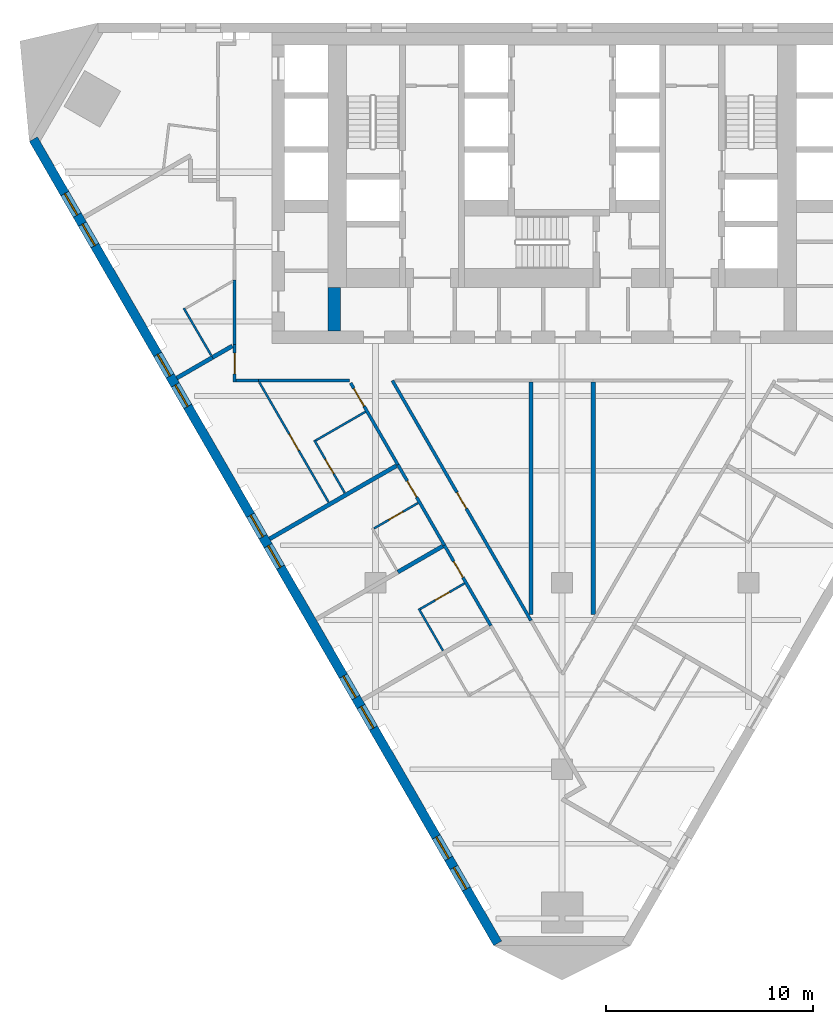
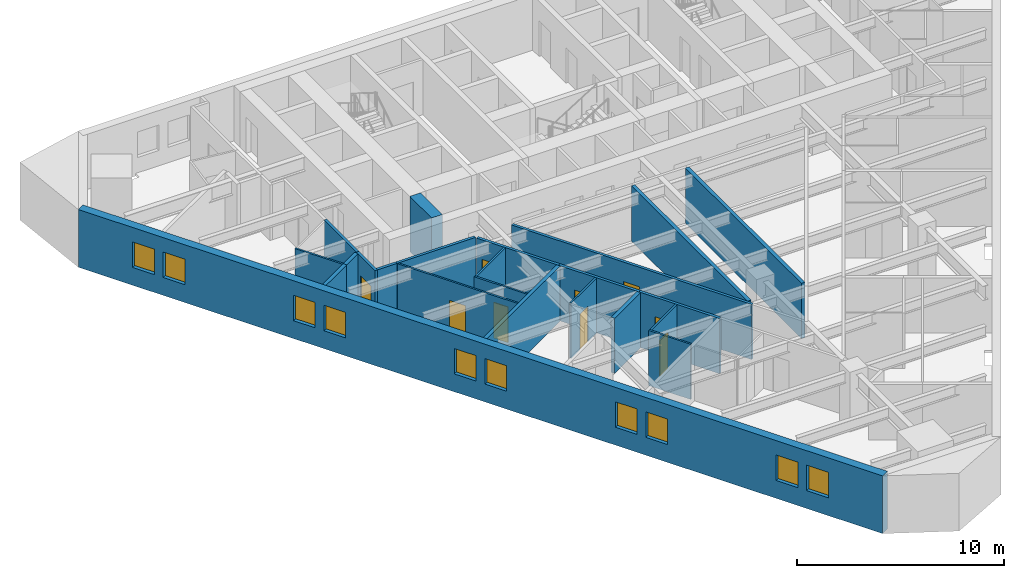
# One storey, part 3 of 10: 23 walls, 10 windows, 9 doors, 19 openings.
"""IFC4 building model written with IfcOpenShell, lengths in metres."""

from ifc_helpers import new_model, si_unit, direction, frame, frame_2d, origin, place, context, subcontext, project, spatial, polyline, rectangle, outline, extrude, material, layer, layer_set, type_object, element, fill, save


model = new_model("IFC4")

# Units and contexts
model_context = context("Model", 3, precision=1e-05, world=origin(), true_north=direction((0.0, 1.0)))
body_context = subcontext(model_context, "Body", "Model", "MODEL_VIEW")
ifc_project = project(units=[si_unit("LENGTHUNIT", "METRE"), si_unit("AREAUNIT", "SQUARE_METRE"), si_unit("VOLUMEUNIT", "CUBIC_METRE"), si_unit("PLANEANGLEUNIT", "RADIAN"), si_unit("MASSUNIT", "GRAM", prefix="KILO")], contexts=[model_context])

# Site, building, storey
site_placement = place(None, origin())
site = spatial("IfcSite", under=ifc_project, at=site_placement, CompositionType="ELEMENT")
building_placement = place(site_placement, origin())
building = spatial("IfcBuilding", under=site, at=building_placement, Name="Aloe Facet Convention Tower", CompositionType="ELEMENT")
storey_placement = place(building_placement, frame((0.0, 0.0, 73.5)))
storey = spatial("IfcBuildingStorey", under=building, at=storey_placement, Name="L17", CompositionType="ELEMENT", Elevation=73.5)

# Wall
ifc_material_1 = material(Name="Concrete C80/95", Category="concrete")
ifc_layer_1 = layer(ifc_material_1, 0.60009765625)
ifc_layer_set_1 = layer_set([ifc_layer_1], Name="CR-W-RC600-C8095")
wall_type_1 = type_object("IfcWallType", Name="CR-W-RC600-C8095", PredefinedType="SOLIDWALL", material=ifc_layer_set_1)
wall_1_placement = place(storey_placement, frame((69.0, 122.25, 0.0), z_axis=(0.0, 0.0, 1.0), x_axis=(0.0, -1.0, 0.0)))
element("IfcWall", 1, at=wall_1_placement, inside=storey, type_object=wall_type_1, Name="Core wall L17-009", PredefinedType="SOLIDWALL", context=body_context, shape_type="SweptSolid", body=[
    extrude(rectangle(XDim=2.10009765625, YDim=0.60009765625, at=frame_2d((1.050048828125, 0.0))), origin(), (0.0, 0.0, 1.0), 3.25),
])

# Wall, openings, windows
ifc_material_2 = material(Name="Precast concrete C40/50", Category="concrete")
ifc_layer_2 = layer(ifc_material_2, 0.449951171875)
ifc_layer_set_2 = layer_set([ifc_layer_2], Name="EV-WALL-STONE")
wall_type_2 = type_object("IfcWallType", Name="EV-WALL-STONE", PredefinedType="SOLIDWALL", material=ifc_layer_set_2)
wall_2_placement = place(storey_placement, frame((54.494873046875, 129.396728515625, -0.14990234375), z_axis=(0.0, 0.0, 1.0), x_axis=(0.499999201451, -0.866025864826, 0.0)))
wall_2 = element("IfcWall", 2, at=wall_2_placement, inside=storey, type_object=wall_type_2, Name="EW-L17-W01", PredefinedType="SOLIDWALL", context=body_context, shape_type="SweptSolid", body=[
    extrude(outline(polyline([(44.800048828125, 0.0), (44.800048828125, 3.39990234375), (0.0, 3.39990234375), (0.0, 0.0), (44.800048828125, 0.0)])), frame((0.0, 0.22509765625, 0.0), z_axis=(0.0, -1.0, 0.0), x_axis=(1.0, 0.0, 0.0)), (0.0, 0.0, 1.0), 0.449951171875),
])
opening_1_placement = place(wall_2_placement, frame((3.030029296875, 0.0, 1.050048828125)))
opening_1 = element("IfcOpeningElement", 3, at=opening_1_placement, cuts=wall_2, Name="Opening W-L17-W01", PredefinedType="OPENING", context=body_context, shape_type="SweptSolid", body=[
    extrude(rectangle(XDim=1.199951171875, YDim=1.5, at=frame_2d((0.60009765625, 0.75))), frame((0.0, 0.23486328125, 0.0), z_axis=(0.0, -1.0, 0.0), x_axis=(1.0, 0.0, 0.0)), (0.0, 0.0, 1.0), 0.469970703125),
])
opening_2_placement = place(wall_2_placement, frame((4.72998046875, 0.0, 1.050048828125)))
opening_2 = element("IfcOpeningElement", 4, at=opening_2_placement, cuts=wall_2, Name="Opening W-L17-W02", PredefinedType="OPENING", context=body_context, shape_type="SweptSolid", body=[
    extrude(rectangle(XDim=1.199951171875, YDim=1.5, at=frame_2d((0.60009765625, 0.75))), frame((0.0, 0.23486328125, 0.0), z_axis=(0.0, -1.0, 0.0), x_axis=(1.0, 0.0, 0.0)), (0.0, 0.0, 1.0), 0.469970703125),
])
opening_3_placement = place(wall_2_placement, frame((11.989990234375, 0.0, 1.050048828125)))
opening_3 = element("IfcOpeningElement", 5, at=opening_3_placement, cuts=wall_2, Name="Opening W-L17-W03", PredefinedType="OPENING", context=body_context, shape_type="SweptSolid", body=[
    extrude(rectangle(XDim=1.199951171875, YDim=1.5, at=frame_2d((0.60009765625, 0.75))), frame((0.0, 0.23486328125, 0.0), z_axis=(0.0, -1.0, 0.0), x_axis=(1.0, 0.0, 0.0)), (0.0, 0.0, 1.0), 0.469970703125),
])
opening_4_placement = place(wall_2_placement, frame((13.68994140625, 0.0, 1.050048828125)))
opening_4 = element("IfcOpeningElement", 6, at=opening_4_placement, cuts=wall_2, Name="Opening W-L17-W04", PredefinedType="OPENING", context=body_context, shape_type="SweptSolid", body=[
    extrude(rectangle(XDim=1.199951171875, YDim=1.5, at=frame_2d((0.60009765625, 0.75))), frame((0.0, 0.23486328125, 0.0), z_axis=(0.0, -1.0, 0.0), x_axis=(1.0, 0.0, 0.0)), (0.0, 0.0, 1.0), 0.469970703125),
])
opening_5_placement = place(wall_2_placement, frame((20.949951171875, 0.0, 1.050048828125)))
opening_5 = element("IfcOpeningElement", 7, at=opening_5_placement, cuts=wall_2, Name="Opening W-L17-W05", PredefinedType="OPENING", context=body_context, shape_type="SweptSolid", body=[
    extrude(rectangle(XDim=1.199951171875, YDim=1.5, at=frame_2d((0.60009765625, 0.75))), frame((0.0, 0.23486328125, 0.0), z_axis=(0.0, -1.0, 0.0), x_axis=(1.0, 0.0, 0.0)), (0.0, 0.0, 1.0), 0.469970703125),
])
opening_6_placement = place(wall_2_placement, frame((22.64990234375, 0.0, 1.050048828125)))
opening_6 = element("IfcOpeningElement", 8, at=opening_6_placement, cuts=wall_2, Name="Opening W-L17-W06", PredefinedType="OPENING", context=body_context, shape_type="SweptSolid", body=[
    extrude(rectangle(XDim=1.199951171875, YDim=1.5, at=frame_2d((0.60009765625, 0.75))), frame((0.0, 0.23486328125, 0.0), z_axis=(0.0, -1.0, 0.0), x_axis=(1.0, 0.0, 0.0)), (0.0, 0.0, 1.0), 0.469970703125),
])
opening_7_placement = place(wall_2_placement, frame((29.909912109375, 0.0, 1.050048828125)))
opening_7 = element("IfcOpeningElement", 9, at=opening_7_placement, cuts=wall_2, Name="Opening W-L17-W07", PredefinedType="OPENING", context=body_context, shape_type="SweptSolid", body=[
    extrude(rectangle(XDim=1.199951171875, YDim=1.5, at=frame_2d((0.60009765625, 0.75))), frame((0.0, 0.23486328125, 0.0), z_axis=(0.0, -1.0, 0.0), x_axis=(1.0, 0.0, 0.0)), (0.0, 0.0, 1.0), 0.469970703125),
])
opening_8_placement = place(wall_2_placement, frame((31.610107421875, 0.0, 1.050048828125)))
opening_8 = element("IfcOpeningElement", 10, at=opening_8_placement, cuts=wall_2, Name="Opening W-L17-W08", PredefinedType="OPENING", context=body_context, shape_type="SweptSolid", body=[
    extrude(rectangle(XDim=1.199951171875, YDim=1.5, at=frame_2d((0.60009765625, 0.75))), frame((0.0, 0.23486328125, 0.0), z_axis=(0.0, -1.0, 0.0), x_axis=(1.0, 0.0, 0.0)), (0.0, 0.0, 1.0), 0.469970703125),
])
opening_9_placement = place(wall_2_placement, frame((38.8701171875, 0.0, 1.050048828125)))
opening_9 = element("IfcOpeningElement", 11, at=opening_9_placement, cuts=wall_2, Name="Opening W-L17-W09", PredefinedType="OPENING", context=body_context, shape_type="SweptSolid", body=[
    extrude(rectangle(XDim=1.199951171875, YDim=1.5, at=frame_2d((0.60009765625, 0.75))), frame((0.0, 0.23486328125, 0.0), z_axis=(0.0, -1.0, 0.0), x_axis=(1.0, 0.0, 0.0)), (0.0, 0.0, 1.0), 0.469970703125),
])
opening_10_placement = place(wall_2_placement, frame((40.570068359375, 0.0, 1.050048828125)))
opening_10 = element("IfcOpeningElement", 12, at=opening_10_placement, cuts=wall_2, Name="Opening W-L17-W10", PredefinedType="OPENING", context=body_context, shape_type="SweptSolid", body=[
    extrude(rectangle(XDim=1.199951171875, YDim=1.5, at=frame_2d((0.60009765625, 0.75))), frame((0.0, 0.23486328125, 0.0), z_axis=(0.0, -1.0, 0.0), x_axis=(1.0, 0.0, 0.0)), (0.0, 0.0, 1.0), 0.469970703125),
])
ifc_material_3 = material(Name="Aluminium frame, clear double glazing", Category="aluminium")
window_type = type_object("IfcWindowType", Name="EV-WIN-H12", PartitioningType="SINGLE_PANEL", PredefinedType="WINDOW", material=ifc_material_3)
window_1_placement = place(opening_1_placement, origin())
window_1 = element("IfcWindow", 13, at=window_1_placement, inside=storey, type_object=window_type, Name="W-L17-W01", OverallHeight=1.5, OverallWidth=1.199951171875, PartitioningType="SINGLE_PANEL", PredefinedType="WINDOW", context=body_context, shape_type="SweptSolid", body=[
    extrude(rectangle(XDim=1.199951171875, YDim=1.5, at=frame_2d((0.60009765625, 0.75))), frame((0.0, 0.030029296875, 0.0), z_axis=(0.0, -1.0, 0.0), x_axis=(1.0, 0.0, 0.0)), (0.0, 0.0, 1.0), 0.06005859375),
])
fill(opening_1, window_1)
window_2_placement = place(opening_2_placement, origin())
window_2 = element("IfcWindow", 14, at=window_2_placement, inside=storey, type_object=window_type, Name="W-L17-W02", OverallHeight=1.5, OverallWidth=1.199951171875, PartitioningType="SINGLE_PANEL", PredefinedType="WINDOW", context=body_context, shape_type="SweptSolid", body=[
    extrude(rectangle(XDim=1.199951171875, YDim=1.5, at=frame_2d((0.60009765625, 0.75))), frame((0.0, 0.030029296875, 0.0), z_axis=(0.0, -1.0, 0.0), x_axis=(1.0, 0.0, 0.0)), (0.0, 0.0, 1.0), 0.06005859375),
])
fill(opening_2, window_2)
window_3_placement = place(opening_3_placement, origin())
window_3 = element("IfcWindow", 15, at=window_3_placement, inside=storey, type_object=window_type, Name="W-L17-W03", OverallHeight=1.5, OverallWidth=1.199951171875, PartitioningType="SINGLE_PANEL", PredefinedType="WINDOW", context=body_context, shape_type="SweptSolid", body=[
    extrude(rectangle(XDim=1.199951171875, YDim=1.5, at=frame_2d((0.60009765625, 0.75))), frame((0.0, 0.030029296875, 0.0), z_axis=(0.0, -1.0, 0.0), x_axis=(1.0, 0.0, 0.0)), (0.0, 0.0, 1.0), 0.06005859375),
])
fill(opening_3, window_3)
window_4_placement = place(opening_4_placement, origin())
window_4 = element("IfcWindow", 16, at=window_4_placement, inside=storey, type_object=window_type, Name="W-L17-W04", OverallHeight=1.5, OverallWidth=1.199951171875, PartitioningType="SINGLE_PANEL", PredefinedType="WINDOW", context=body_context, shape_type="SweptSolid", body=[
    extrude(rectangle(XDim=1.199951171875, YDim=1.5, at=frame_2d((0.60009765625, 0.75))), frame((0.0, 0.030029296875, 0.0), z_axis=(0.0, -1.0, 0.0), x_axis=(1.0, 0.0, 0.0)), (0.0, 0.0, 1.0), 0.06005859375),
])
fill(opening_4, window_4)
window_5_placement = place(opening_5_placement, origin())
window_5 = element("IfcWindow", 17, at=window_5_placement, inside=storey, type_object=window_type, Name="W-L17-W05", OverallHeight=1.5, OverallWidth=1.199951171875, PartitioningType="SINGLE_PANEL", PredefinedType="WINDOW", context=body_context, shape_type="SweptSolid", body=[
    extrude(rectangle(XDim=1.199951171875, YDim=1.5, at=frame_2d((0.60009765625, 0.75))), frame((0.0, 0.030029296875, 0.0), z_axis=(0.0, -1.0, 0.0), x_axis=(1.0, 0.0, 0.0)), (0.0, 0.0, 1.0), 0.06005859375),
])
fill(opening_5, window_5)
window_6_placement = place(opening_6_placement, origin())
window_6 = element("IfcWindow", 18, at=window_6_placement, inside=storey, type_object=window_type, Name="W-L17-W06", OverallHeight=1.5, OverallWidth=1.199951171875, PartitioningType="SINGLE_PANEL", PredefinedType="WINDOW", context=body_context, shape_type="SweptSolid", body=[
    extrude(rectangle(XDim=1.199951171875, YDim=1.5, at=frame_2d((0.60009765625, 0.75))), frame((0.0, 0.030029296875, 0.0), z_axis=(0.0, -1.0, 0.0), x_axis=(1.0, 0.0, 0.0)), (0.0, 0.0, 1.0), 0.06005859375),
])
fill(opening_6, window_6)
window_7_placement = place(opening_7_placement, origin())
window_7 = element("IfcWindow", 19, at=window_7_placement, inside=storey, type_object=window_type, Name="W-L17-W07", OverallHeight=1.5, OverallWidth=1.199951171875, PartitioningType="SINGLE_PANEL", PredefinedType="WINDOW", context=body_context, shape_type="SweptSolid", body=[
    extrude(rectangle(XDim=1.199951171875, YDim=1.5, at=frame_2d((0.60009765625, 0.75))), frame((0.0, 0.030029296875, 0.0), z_axis=(0.0, -1.0, 0.0), x_axis=(1.0, 0.0, 0.0)), (0.0, 0.0, 1.0), 0.06005859375),
])
fill(opening_7, window_7)
window_8_placement = place(opening_8_placement, origin())
window_8 = element("IfcWindow", 20, at=window_8_placement, inside=storey, type_object=window_type, Name="W-L17-W08", OverallHeight=1.5, OverallWidth=1.199951171875, PartitioningType="SINGLE_PANEL", PredefinedType="WINDOW", context=body_context, shape_type="SweptSolid", body=[
    extrude(rectangle(XDim=1.199951171875, YDim=1.5, at=frame_2d((0.60009765625, 0.75))), frame((0.0, 0.030029296875, 0.0), z_axis=(0.0, -1.0, 0.0), x_axis=(1.0, 0.0, 0.0)), (0.0, 0.0, 1.0), 0.06005859375),
])
fill(opening_8, window_8)
window_9_placement = place(opening_9_placement, origin())
window_9 = element("IfcWindow", 21, at=window_9_placement, inside=storey, type_object=window_type, Name="W-L17-W09", OverallHeight=1.5, OverallWidth=1.199951171875, PartitioningType="SINGLE_PANEL", PredefinedType="WINDOW", context=body_context, shape_type="SweptSolid", body=[
    extrude(rectangle(XDim=1.199951171875, YDim=1.5, at=frame_2d((0.60009765625, 0.75))), frame((0.0, 0.030029296875, 0.0), z_axis=(0.0, -1.0, 0.0), x_axis=(1.0, 0.0, 0.0)), (0.0, 0.0, 1.0), 0.06005859375),
])
fill(opening_9, window_9)
window_10_placement = place(opening_10_placement, origin())
window_10 = element("IfcWindow", 22, at=window_10_placement, inside=storey, type_object=window_type, Name="W-L17-W10", OverallHeight=1.5, OverallWidth=1.199951171875, PartitioningType="SINGLE_PANEL", PredefinedType="WINDOW", context=body_context, shape_type="SweptSolid", body=[
    extrude(rectangle(XDim=1.199951171875, YDim=1.5, at=frame_2d((0.60009765625, 0.75))), frame((0.0, 0.030029296875, 0.0), z_axis=(0.0, -1.0, 0.0), x_axis=(1.0, 0.0, 0.0)), (0.0, 0.0, 1.0), 0.06005859375),
])
fill(opening_10, window_10)

# Wall, opening, door
ifc_material_4 = material(Name="Gypsum board partition on steel studs", Category="steel")
ifc_layer_3 = layer(ifc_material_4, 0.14990234375)
ifc_layer_set_3 = layer_set([ifc_layer_3], Name="IN-W-CORR")
wall_type_3 = type_object("IfcWallType", Name="IN-W-CORR", PredefinedType="PARTITIONING", material=ifc_layer_set_3)
wall_3_placement = place(storey_placement, frame((74.32177734375, 109.805419921875, 0.0), z_axis=(0.0, 0.0, 1.0), x_axis=(0.500013360201, -0.866017690131, 0.0)))
wall_3 = element("IfcWall", 23, at=wall_3_placement, inside=storey, type_object=wall_type_3, Name="Partition L17-W028", PredefinedType="PARTITIONING", context=body_context, shape_type="SweptSolid", body=[
    extrude(rectangle(XDim=4.47998046875, YDim=0.14990234375, at=frame_2d((2.239990234375, 0.0))), origin(), (0.0, 0.0, 1.0), 3.25),
])
opening_11_placement = place(wall_3_placement, frame((0.89599609375, 0.0, 0.0)))
opening_11 = element("IfcOpeningElement", 24, at=opening_11_placement, cuts=wall_3, Name="Opening L17-006", PredefinedType="OPENING", context=body_context, shape_type="SweptSolid", body=[
    extrude(rectangle(XDim=0.89990234375, YDim=2.10009765625, at=frame_2d((0.449951171875, 1.050048828125))), frame((0.0, 0.0849609375, 0.0), z_axis=(0.0, -1.0, 0.0), x_axis=(1.0, 0.0, 0.0)), (0.0, 0.0, 1.0), 0.169921875),
])
ifc_material_5 = material(Name="Hardwood flush door FD30S", Category="wood")
door_type_1 = type_object("IfcDoorType", Name="IN-D-GUEST", OperationType="SINGLE_SWING_LEFT", PredefinedType="DOOR", material=ifc_material_5)
door_1_placement = place(opening_11_placement, origin())
door_1 = element("IfcDoor", 25, at=door_1_placement, inside=storey, type_object=door_type_1, Name="Door L17-006", OperationType="SINGLE_SWING_LEFT", OverallHeight=2.10009765625, OverallWidth=0.89990234375, PredefinedType="DOOR", context=body_context, shape_type="SweptSolid", body=[
    extrude(rectangle(XDim=0.89990234375, YDim=2.10009765625, at=frame_2d((0.449951171875, 1.050048828125))), frame((0.0, 0.02490234375, 0.0), z_axis=(0.0, -1.0, 0.0), x_axis=(1.0, 0.0, 0.0)), (0.0, 0.0, 1.0), 0.050048828125),
])
fill(opening_11, door_1)

wall_4_placement = place(storey_placement, frame((72.081787109375, 113.685302734375, 0.0), z_axis=(0.0, 0.0, 1.0), x_axis=(0.499989762656, -0.866031314237, 0.0)))
wall_4 = element("IfcWall", 26, at=wall_4_placement, inside=storey, type_object=wall_type_3, Name="Partition L17-W042", PredefinedType="PARTITIONING", context=body_context, shape_type="SweptSolid", body=[
    extrude(rectangle(XDim=4.47998046875, YDim=0.14990234375, at=frame_2d((2.239990234375, 0.0))), origin(), (0.0, 0.0, 1.0), 3.25),
])
opening_12_placement = place(wall_4_placement, frame((0.89599609375, 0.0, 0.0)))
opening_12 = element("IfcOpeningElement", 27, at=opening_12_placement, cuts=wall_4, Name="Opening L17-005", PredefinedType="OPENING", context=body_context, shape_type="SweptSolid", body=[
    extrude(rectangle(XDim=0.89990234375, YDim=2.10009765625, at=frame_2d((0.449951171875, 1.050048828125))), frame((0.0, 0.0849609375, 0.0), z_axis=(0.0, -1.0, 0.0), x_axis=(1.0, 0.0, 0.0)), (0.0, 0.0, 1.0), 0.169921875),
])
door_2_placement = place(opening_12_placement, origin())
door_2 = element("IfcDoor", 28, at=door_2_placement, inside=storey, type_object=door_type_1, Name="Door L17-005", OperationType="SINGLE_SWING_LEFT", OverallHeight=2.10009765625, OverallWidth=0.89990234375, PredefinedType="DOOR", context=body_context, shape_type="SweptSolid", body=[
    extrude(rectangle(XDim=0.89990234375, YDim=2.10009765625, at=frame_2d((0.449951171875, 1.050048828125))), frame((0.0, 0.02490234375, 0.0), z_axis=(0.0, -1.0, 0.0), x_axis=(1.0, 0.0, 0.0)), (0.0, 0.0, 1.0), 0.050048828125),
])
fill(opening_12, door_2)

wall_5_placement = place(storey_placement, frame((64.199951171875, 117.675048828125, 0.0), z_axis=(0.0, 0.0, 1.0), x_axis=(0.0, 1.0, 0.0)))
wall_5 = element("IfcWall", 29, at=wall_5_placement, inside=storey, type_object=wall_type_3, Name="Partition L17-W072", PredefinedType="PARTITIONING", context=body_context, shape_type="SweptSolid", body=[
    extrude(rectangle(XDim=1.8056640625, YDim=0.14990234375, at=frame_2d((0.90283203125, 0.0))), origin(), (0.0, 0.0, 1.0), 3.25),
])
opening_13_placement = place(wall_5_placement, frame((0.40283203125, 0.0, 0.0)))
opening_13 = element("IfcOpeningElement", 30, at=opening_13_placement, cuts=wall_5, Name="Opening L17-004", PredefinedType="OPENING", context=body_context, shape_type="SweptSolid", body=[
    extrude(rectangle(XDim=1.0, YDim=2.10009765625, at=frame_2d((0.5, 1.050048828125))), frame((0.0, 0.0849609375, 0.0), z_axis=(0.0, -1.0, 0.0), x_axis=(1.0, 0.0, 0.0)), (0.0, 0.0, 1.0), 0.169921875),
])
ifc_material_6 = material(Name="Hardwood flush door FD30S", Category="wood")
door_type_2 = type_object("IfcDoorType", Name="IN-D-WIDE", OperationType="SINGLE_SWING_LEFT", PredefinedType="DOOR", material=ifc_material_6)
door_3_placement = place(opening_13_placement, origin())
door_3 = element("IfcDoor", 31, at=door_3_placement, inside=storey, type_object=door_type_2, Name="Door L17-004", OperationType="SINGLE_SWING_LEFT", OverallHeight=2.10009765625, OverallWidth=1.0, PredefinedType="DOOR", context=body_context, shape_type="SweptSolid", body=[
    extrude(rectangle(XDim=1.0, YDim=2.10009765625, at=frame_2d((0.5, 1.050048828125))), frame((0.0, 0.02490234375, 0.0), z_axis=(0.0, -1.0, 0.0), x_axis=(1.0, 0.0, 0.0)), (0.0, 0.0, 1.0), 0.050048828125),
])
fill(opening_13, door_3)

# Walls
wall_6_placement = place(storey_placement, frame((65.34716796875, 117.75, 0.0), z_axis=(0.0, 0.0, 1.0), x_axis=(1.0, 0.0, 0.0)))
element("IfcWall", 32, at=wall_6_placement, inside=storey, type_object=wall_type_3, Name="Partition L17-W073", PredefinedType="PARTITIONING", context=body_context, shape_type="SweptSolid", body=[
    extrude(rectangle(XDim=4.387939453125, YDim=0.14990234375, at=frame_2d((2.19384765625, 0.0))), origin(), (0.0, 0.0, 1.0), 3.25),
])
wall_7_placement = place(storey_placement, frame((64.27490234375, 117.75, 0.0), z_axis=(0.0, 0.0, 1.0), x_axis=(1.0, 0.0, 0.0)))
element("IfcWall", 33, at=wall_7_placement, inside=storey, type_object=wall_type_3, Name="Partition L17-W074", PredefinedType="PARTITIONING", context=body_context, shape_type="SweptSolid", body=[
    extrude(rectangle(XDim=1.072265625, YDim=0.14990234375, at=frame_2d((0.5361328125, 0.0))), origin(), (0.0, 0.0, 1.0), 3.25),
])

# Wall, opening, door
wall_8_placement = place(storey_placement, frame((69.800048828125, 117.637451171875, 0.0), z_axis=(0.0, 0.0, 1.0), x_axis=(0.499994135611, -0.866028789565, 0.0)))
wall_8 = element("IfcWall", 34, at=wall_8_placement, inside=storey, type_object=wall_type_3, Name="Partition L17-W075", PredefinedType="PARTITIONING", context=body_context, shape_type="SweptSolid", body=[
    extrude(rectangle(XDim=4.5634765625, YDim=0.14990234375, at=frame_2d((2.28173828125, 0.0))), origin(), (0.0, 0.0, 1.0), 3.25),
])
opening_14_placement = place(wall_8_placement, frame((0.300048828125, 0.0, 0.0)))
opening_14 = element("IfcOpeningElement", 35, at=opening_14_placement, cuts=wall_8, Name="Opening L17-015", PredefinedType="OPENING", context=body_context, shape_type="SweptSolid", body=[
    extrude(rectangle(XDim=1.0, YDim=2.10009765625, at=frame_2d((0.5, 1.050048828125))), frame((0.0, 0.0849609375, 0.0), z_axis=(0.0, -1.0, 0.0), x_axis=(1.0, 0.0, 0.0)), (0.0, 0.0, 1.0), 0.169921875),
])
door_4_placement = place(opening_14_placement, origin())
door_4 = element("IfcDoor", 36, at=door_4_placement, inside=storey, type_object=door_type_2, Name="Door L17-015", OperationType="SINGLE_SWING_LEFT", OverallHeight=2.10009765625, OverallWidth=1.0, PredefinedType="DOOR", context=body_context, shape_type="SweptSolid", body=[
    extrude(rectangle(XDim=1.0, YDim=2.10009765625, at=frame_2d((0.5, 1.050048828125))), frame((0.0, 0.02490234375, 0.0), z_axis=(0.0, -1.0, 0.0), x_axis=(1.0, 0.0, 0.0)), (0.0, 0.0, 1.0), 0.050048828125),
])
fill(opening_14, door_4)

wall_9_placement = place(storey_placement, frame((71.8134765625, 117.75, 0.0), z_axis=(0.0, 0.0, 1.0), x_axis=(0.500004357924, -0.866022887721, 0.0)))
wall_9 = element("IfcWall", 37, at=wall_9_placement, inside=storey, type_object=wall_type_3, Name="Partition L17-W076", PredefinedType="PARTITIONING", context=body_context, shape_type="SweptSolid", body=[
    extrude(rectangle(XDim=13.369140625, YDim=0.14990234375, at=frame_2d((6.6845703125, 0.0))), origin(), (0.0, 0.0, 1.0), 3.25),
])
opening_15_placement = place(wall_9_placement, frame((6.234619140625, 0.0, 0.0)))
opening_15 = element("IfcOpeningElement", 38, at=opening_15_placement, cuts=wall_9, Name="Opening L17-012", PredefinedType="OPENING", context=body_context, shape_type="SweptSolid", body=[
    extrude(rectangle(XDim=0.89990234375, YDim=2.10009765625, at=frame_2d((0.449951171875, 1.050048828125))), frame((0.0, 0.0849609375, 0.0), z_axis=(0.0, -1.0, 0.0), x_axis=(1.0, 0.0, 0.0)), (0.0, 0.0, 1.0), 0.169921875),
])
door_5_placement = place(opening_15_placement, origin())
door_5 = element("IfcDoor", 39, at=door_5_placement, inside=storey, type_object=door_type_1, Name="Door L17-012", OperationType="SINGLE_SWING_LEFT", OverallHeight=2.10009765625, OverallWidth=0.89990234375, PredefinedType="DOOR", context=body_context, shape_type="SweptSolid", body=[
    extrude(rectangle(XDim=0.89990234375, YDim=2.10009765625, at=frame_2d((0.449951171875, 1.050048828125))), frame((0.0, 0.02490234375, 0.0), z_axis=(0.0, -1.0, 0.0), x_axis=(1.0, 0.0, 0.0)), (0.0, 0.0, 1.0), 0.050048828125),
])
fill(opening_15, door_5)

# Walls
wall_10_placement = place(storey_placement, frame((64.199951171875, 119.480712890625, 0.0), z_axis=(0.0, 0.0, 1.0), x_axis=(0.0, 1.0, 0.0)))
element("IfcWall", 40, at=wall_10_placement, inside=storey, type_object=wall_type_3, Name="Partition L17-W096", PredefinedType="PARTITIONING", context=body_context, shape_type="SweptSolid", body=[
    extrude(rectangle(XDim=3.117919921875, YDim=0.14990234375, at=frame_2d((1.55908203125, 0.0))), origin(), (0.0, 0.0, 1.0), 3.25),
])
ifc_material_7 = material(Name="Gypsum board partition on steel studs", Category="steel")
ifc_layer_4 = layer(ifc_material_7, 0.10009765625)
ifc_layer_set_4 = layer_set([ifc_layer_4], Name="IN-W-PART")
wall_type_4 = type_object("IfcWallType", Name="IN-W-PART", PredefinedType="PARTITIONING", material=ifc_layer_set_4)
wall_11_placement = place(storey_placement, frame((73.085205078125, 106.74755859375, 0.0), z_axis=(0.0, 0.0, 1.0), x_axis=(0.499954256575, -0.866051812152, 0.0)))
element("IfcWall", 41, at=wall_11_placement, inside=storey, type_object=wall_type_4, Name="Partition L17-W022", PredefinedType="PARTITIONING", context=body_context, shape_type="SweptSolid", body=[
    extrude(rectangle(XDim=2.340087890625, YDim=0.10009765625, at=frame_2d((1.169921875, 0.0))), origin(), (0.0, 0.0, 1.0), 3.25),
])

# Wall, opening, door
wall_12_placement = place(storey_placement, frame((73.1533203125, 106.729248046875, 0.0), z_axis=(0.0, 0.0, 1.0), x_axis=(0.866073894602, 0.499916002032, 0.0)))
wall_12 = element("IfcWall", 42, at=wall_12_placement, inside=storey, type_object=wall_type_4, Name="Partition L17-W037", PredefinedType="PARTITIONING", context=body_context, shape_type="SweptSolid", body=[
    extrude(rectangle(XDim=2.47509765625, YDim=0.10009765625, at=frame_2d((1.237548828125, 0.0))), origin(), (0.0, 0.0, 1.0), 3.25),
])
opening_16_placement = place(wall_12_placement, frame((0.83740234375, 0.0, 0.0)))
opening_16 = element("IfcOpeningElement", 43, at=opening_16_placement, cuts=wall_12, Name="Opening L17-023", PredefinedType="OPENING", context=body_context, shape_type="SweptSolid", body=[
    extrude(rectangle(XDim=0.800048828125, YDim=2.10009765625, at=frame_2d((0.39990234375, 1.050048828125))), frame((0.0, 0.06005859375, 0.0), z_axis=(0.0, -1.0, 0.0), x_axis=(1.0, 0.0, 0.0)), (0.0, 0.0, 1.0), 0.1201171875),
])
ifc_material_8 = material(Name="Timber flush door", Category="wood")
door_type_3 = type_object("IfcDoorType", Name="IN-D-BATH", OperationType="SINGLE_SWING_LEFT", PredefinedType="DOOR", material=ifc_material_8)
door_6_placement = place(opening_16_placement, origin())
door_6 = element("IfcDoor", 44, at=door_6_placement, inside=storey, type_object=door_type_3, Name="Door L17-023", OperationType="SINGLE_SWING_LEFT", OverallHeight=2.10009765625, OverallWidth=0.800048828125, PredefinedType="DOOR", context=body_context, shape_type="SweptSolid", body=[
    extrude(rectangle(XDim=0.800048828125, YDim=2.10009765625, at=frame_2d((0.39990234375, 1.050048828125))), frame((0.0, 0.02490234375, 0.0), z_axis=(0.0, -1.0, 0.0), x_axis=(1.0, 0.0, 0.0)), (0.0, 0.0, 1.0), 0.050048828125),
])
fill(opening_16, door_6)

wall_13_placement = place(storey_placement, frame((70.922119140625, 110.614013671875, 0.0), z_axis=(0.0, 0.0, 1.0), x_axis=(0.866049783786, 0.499957770222, 0.0)))
wall_13 = element("IfcWall", 45, at=wall_13_placement, inside=storey, type_object=wall_type_4, Name="Partition L17-W046", PredefinedType="PARTITIONING", context=body_context, shape_type="SweptSolid", body=[
    extrude(rectangle(XDim=2.454833984375, YDim=0.10009765625, at=frame_2d((1.2275390625, 0.0))), origin(), (0.0, 0.0, 1.0), 3.25),
])
opening_17_placement = place(wall_13_placement, frame((0.827392578125, 0.0, 0.0)))
opening_17 = element("IfcOpeningElement", 46, at=opening_17_placement, cuts=wall_13, Name="Opening L17-022", PredefinedType="OPENING", context=body_context, shape_type="SweptSolid", body=[
    extrude(rectangle(XDim=0.800048828125, YDim=2.10009765625, at=frame_2d((0.39990234375, 1.050048828125))), frame((0.0, 0.06005859375, 0.0), z_axis=(0.0, -1.0, 0.0), x_axis=(1.0, 0.0, 0.0)), (0.0, 0.0, 1.0), 0.1201171875),
])
door_7_placement = place(opening_17_placement, origin())
door_7 = element("IfcDoor", 47, at=door_7_placement, inside=storey, type_object=door_type_3, Name="Door L17-022", OperationType="SINGLE_SWING_LEFT", OverallHeight=2.10009765625, OverallWidth=0.800048828125, PredefinedType="DOOR", context=body_context, shape_type="SweptSolid", body=[
    extrude(rectangle(XDim=0.800048828125, YDim=2.10009765625, at=frame_2d((0.39990234375, 1.050048828125))), frame((0.0, 0.02490234375, 0.0), z_axis=(0.0, -1.0, 0.0), x_axis=(1.0, 0.0, 0.0)), (0.0, 0.0, 1.0), 0.050048828125),
])
fill(opening_17, door_7)

wall_14_placement = place(storey_placement, frame((65.394775390625, 117.667724609375, 0.0), z_axis=(0.0, 0.0, 1.0), x_axis=(0.499986003774, -0.866033484359, 0.0)))
wall_14 = element("IfcWall", 48, at=wall_14_placement, inside=storey, type_object=wall_type_4, Name="Partition L17-W049", PredefinedType="PARTITIONING", context=body_context, shape_type="SweptSolid", body=[
    extrude(rectangle(XDim=6.682373046875, YDim=0.10009765625, at=frame_2d((3.34130859375, 0.0))), origin(), (0.0, 0.0, 1.0), 3.25),
])
opening_18_placement = place(wall_14_placement, frame((2.891357421875, 0.0, 0.0)))
opening_18 = element("IfcOpeningElement", 49, at=opening_18_placement, cuts=wall_14, Name="Opening L17-021", PredefinedType="OPENING", context=body_context, shape_type="SweptSolid", body=[
    extrude(rectangle(XDim=0.89990234375, YDim=2.10009765625, at=frame_2d((0.449951171875, 1.050048828125))), frame((0.0, 0.06005859375, 0.0), z_axis=(0.0, -1.0, 0.0), x_axis=(1.0, 0.0, 0.0)), (0.0, 0.0, 1.0), 0.1201171875),
])
ifc_material_9 = material(Name="Timber flush door", Category="wood")
door_type_4 = type_object("IfcDoorType", Name="IN-D-INT", OperationType="SINGLE_SWING_LEFT", PredefinedType="DOOR", material=ifc_material_9)
door_8_placement = place(opening_18_placement, origin())
door_8 = element("IfcDoor", 50, at=door_8_placement, inside=storey, type_object=door_type_4, Name="Door L17-021", OperationType="SINGLE_SWING_LEFT", OverallHeight=2.10009765625, OverallWidth=0.89990234375, PredefinedType="DOOR", context=body_context, shape_type="SweptSolid", body=[
    extrude(rectangle(XDim=0.89990234375, YDim=2.10009765625, at=frame_2d((0.449951171875, 1.050048828125))), frame((0.0, 0.02490234375, 0.0), z_axis=(0.0, -1.0, 0.0), x_axis=(1.0, 0.0, 0.0)), (0.0, 0.0, 1.0), 0.050048828125),
])
fill(opening_18, door_8)

wall_15_placement = place(storey_placement, frame((68.04541015625, 114.876708984375, 0.0), z_axis=(0.0, 0.0, 1.0), x_axis=(0.499988418424, -0.866032090307, 0.0)))
wall_15 = element("IfcWall", 51, at=wall_15_placement, inside=storey, type_object=wall_type_4, Name="Partition L17-W063", PredefinedType="PARTITIONING", context=body_context, shape_type="SweptSolid", body=[
    extrude(rectangle(XDim=2.93994140625, YDim=0.10009765625, at=frame_2d((1.469970703125, 0.0))), origin(), (0.0, 0.0, 1.0), 3.25),
])
opening_19_placement = place(wall_15_placement, frame((1.070068359375, 0.0, 0.0)))
opening_19 = element("IfcOpeningElement", 52, at=opening_19_placement, cuts=wall_15, Name="Opening L17-020", PredefinedType="OPENING", context=body_context, shape_type="SweptSolid", body=[
    extrude(rectangle(XDim=0.800048828125, YDim=2.10009765625, at=frame_2d((0.39990234375, 1.050048828125))), frame((0.0, 0.06005859375, 0.0), z_axis=(0.0, -1.0, 0.0), x_axis=(1.0, 0.0, 0.0)), (0.0, 0.0, 1.0), 0.1201171875),
])
door_9_placement = place(opening_19_placement, origin())
door_9 = element("IfcDoor", 53, at=door_9_placement, inside=storey, type_object=door_type_3, Name="Door L17-020", OperationType="SINGLE_SWING_LEFT", OverallHeight=2.10009765625, OverallWidth=0.800048828125, PredefinedType="DOOR", context=body_context, shape_type="SweptSolid", body=[
    extrude(rectangle(XDim=0.800048828125, YDim=2.10009765625, at=frame_2d((0.39990234375, 1.050048828125))), frame((0.0, 0.02490234375, 0.0), z_axis=(0.0, -1.0, 0.0), x_axis=(1.0, 0.0, 0.0)), (0.0, 0.0, 1.0), 0.050048828125),
])
fill(opening_19, door_9)

# Walls
wall_16_placement = place(storey_placement, frame((68.113525390625, 114.8583984375, 0.0), z_axis=(0.0, 0.0, 1.0), x_axis=(0.866042014628, 0.499971228071, 0.0)))
element("IfcWall", 54, at=wall_16_placement, inside=storey, type_object=wall_type_4, Name="Partition L17-W069", PredefinedType="PARTITIONING", context=body_context, shape_type="SweptSolid", body=[
    extrude(rectangle(XDim=2.775146484375, YDim=0.10009765625, at=frame_2d((1.3876953125, 0.0))), origin(), (0.0, 0.0, 1.0), 3.25),
])
wall_17_placement = place(storey_placement, frame((61.75, 121.24169921875, 0.0), z_axis=(0.0, 0.0, 1.0), x_axis=(0.503163628445, -0.86419116115, 0.0)))
element("IfcWall", 55, at=wall_17_placement, inside=storey, type_object=wall_type_4, Name="Partition L17-W087", PredefinedType="PARTITIONING", context=body_context, shape_type="SweptSolid", body=[
    extrude(rectangle(XDim=2.64013671875, YDim=0.10009765625, at=frame_2d((1.320068359375, 0.0))), origin(), (0.0, 0.0, 1.0), 3.25),
])
ifc_material_10 = material(Name="Gypsum board partition on steel studs", Category="steel")
ifc_layer_5 = layer(ifc_material_10, 0.199951171875)
ifc_layer_set_5 = layer_set([ifc_layer_5], Name="IN-W-PARTY")
wall_type_5 = type_object("IfcWallType", Name="IN-W-PARTY", PredefinedType="PARTITIONING", material=ifc_layer_set_5)
for number, where, z_axis, x_axis, name in (
    (56, (78.498046875, 106.467041015625, 0.0), (0.0, 0.0, 1.0), (0.0, 1.0, 0.0), "Partition L17-W033"),
    (57, (81.501953125, 106.467041015625, 0.0), (0.0, 0.0, 1.0), (0.0, 1.0, 0.0), "Partition L17-W034"),
):
    element("IfcWall", number, at=place(storey_placement, frame(where, z_axis=z_axis, x_axis=x_axis)), inside=storey, type_object=wall_type_5, Name=name, PredefinedType="PARTITIONING", context=body_context, shape_type="SweptSolid", body=[
        extrude(rectangle(XDim=11.2080078125, YDim=0.199951171875, at=frame_2d((5.60400390625, 0.0))), origin(), (0.0, 0.0, 1.0), 3.25),
    ])
wall_18_placement = place(storey_placement, frame((72.078857421875, 108.510498046875, 0.0), z_axis=(0.0, 0.0, 1.0), x_axis=(0.866039519639, 0.499975549825, 0.0)))
element("IfcWall", 58, at=wall_18_placement, inside=storey, type_object=wall_type_5, Name="Partition L17-W041", PredefinedType="PARTITIONING", context=body_context, shape_type="SweptSolid", body=[
    extrude(rectangle(XDim=2.505126953125, YDim=0.199951171875, at=frame_2d((1.25244140625, 0.0))), origin(), (0.0, 0.0, 1.0), 3.25),
])
wall_19_placement = place(storey_placement, frame((65.8896484375, 110.1103515625, 0.0), z_axis=(0.0, 0.0, 1.0), x_axis=(0.866033669941, 0.499985682323, 0.0)))
element("IfcWall", 59, at=wall_19_placement, inside=storey, type_object=wall_type_5, Name="Partition L17-W044", PredefinedType="PARTITIONING", context=body_context, shape_type="SweptSolid", body=[
    extrude(rectangle(XDim=7.065185546875, YDim=0.199951171875, at=frame_2d((3.53271484375, 0.0))), origin(), (0.0, 0.0, 1.0), 3.25),
])
wall_20_placement = place(storey_placement, frame((61.40966796875, 117.869873046875, 0.0), z_axis=(0.0, 0.0, 1.0), x_axis=(0.866038551572, 0.499977226672, 0.0)))
element("IfcWall", 60, at=wall_20_placement, inside=storey, type_object=wall_type_5, Name="Partition L17-W084", PredefinedType="PARTITIONING", context=body_context, shape_type="SweptSolid", body=[
    extrude(rectangle(XDim=1.99072265625, YDim=0.199951171875, at=frame_2d((0.995361328125, 0.0))), origin(), (0.0, 0.0, 1.0), 3.25),
])
wall_21_placement = place(storey_placement, frame((63.1337890625, 118.865234375, 0.0), z_axis=(0.0, 0.0, 1.0), x_axis=(0.866075331272, 0.499913513082, 0.0)))
element("IfcWall", 61, at=wall_21_placement, inside=storey, type_object=wall_type_5, Name="Partition L17-W088", PredefinedType="PARTITIONING", context=body_context, shape_type="SweptSolid", body=[
    extrude(rectangle(XDim=1.106201171875, YDim=0.199951171875, at=frame_2d((0.55322265625, 0.0))), origin(), (0.0, 0.0, 1.0), 3.25),
])

save(model, "model.ifc")
